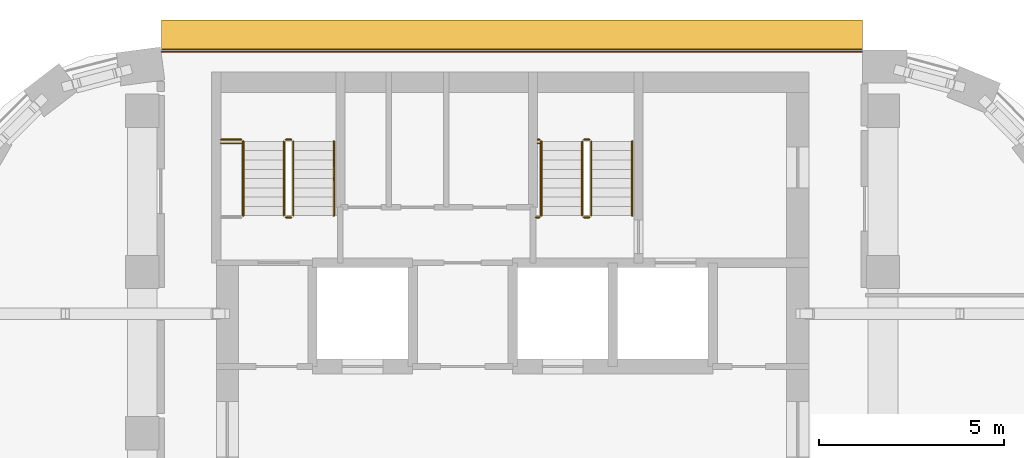
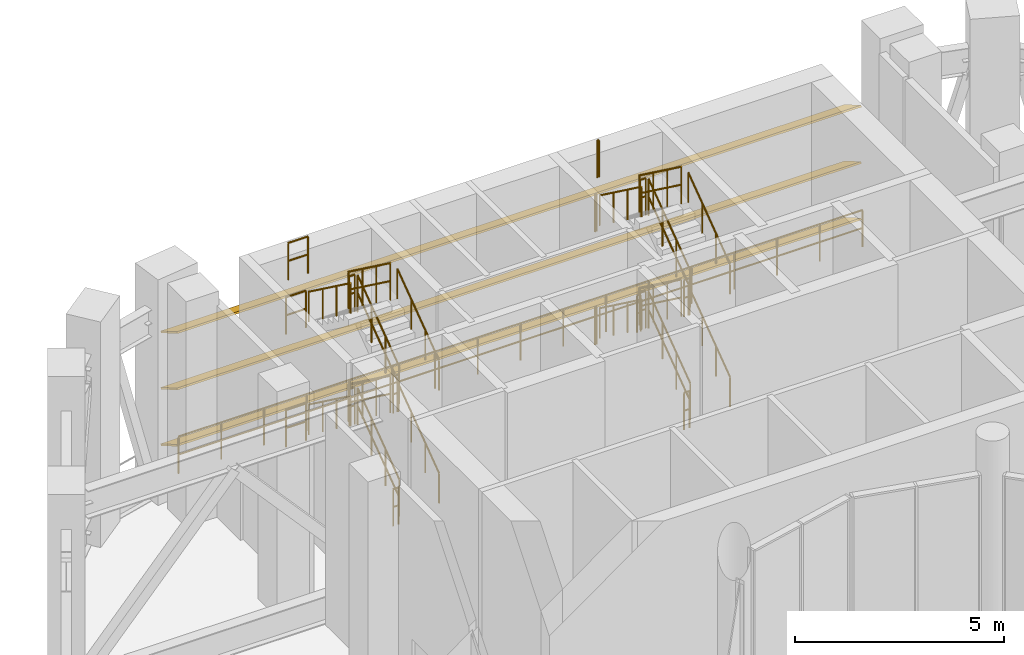
# One storey, part 18 of 19: 32 railings, 3 shading devices.
"""IFC4 building model written with IfcOpenShell, lengths in metres."""

from ifc_helpers import new_model, si_unit, direction, frame, origin, origin_2d, place, context, subcontext, project, spatial, rectangle, circle, extrude, material, material_profile, profile_set, type_object, element, save


model = new_model("IFC4")

# Units and contexts
model_context = context("Model", 3, precision=1e-05, world=origin(), true_north=direction((0.0, 1.0)))
body_context = subcontext(model_context, "Body", "Model", "MODEL_VIEW")
ifc_project = project(units=[si_unit("LENGTHUNIT", "METRE"), si_unit("AREAUNIT", "SQUARE_METRE"), si_unit("VOLUMEUNIT", "CUBIC_METRE"), si_unit("PLANEANGLEUNIT", "RADIAN"), si_unit("MASSUNIT", "GRAM", prefix="KILO")], contexts=[model_context])

# Site, building, storey
site_placement = place(None, origin())
site = spatial("IfcSite", under=ifc_project, at=site_placement, CompositionType="ELEMENT")
building_placement = place(site_placement, origin())
building = spatial("IfcBuilding", under=site, at=building_placement, Name="Nakaniwa Court", CompositionType="ELEMENT")
storey_placement = place(building_placement, frame((0.0, 0.0, 219.60009765625)))
storey = spatial("IfcBuildingStorey", under=building, at=storey_placement, Name="S4", CompositionType="ELEMENT", Elevation=219.60009765625)

# Railing
ifc_material_1 = material(Name="Black powder-coated steel flat bar balustrade S275", Category="steel")
railing_type_1 = type_object("IfcRailingType", Name="Black metal terrace guard 1100", PredefinedType="GUARDRAIL", material=ifc_material_1)
railing_1_placement = place(storey_placement, frame((89.44921875, 102.60009765625, 0.0)))
element("IfcRailing", 1, at=railing_1_placement, inside=storey, type_object=railing_type_1, Name="S4 refuge band guard 08", PredefinedType="GUARDRAIL", context=body_context, shape_type="SweptSolid", body=[
    extrude(circle(Radius=0.02392578125, at=origin_2d()), frame((0.0, 0.0, 1.076171875), z_axis=(-1.0, 0.0, 0.0), x_axis=(0.0, -1.0, 0.0)), (0.0, 0.0, 1.0), 18.932861328125),
    extrude(circle(Radius=0.02392578125, at=origin_2d()), frame((0.0, 0.0, 0.550048828125), z_axis=(-1.0, 0.0, 0.0), x_axis=(0.0, -1.0, 0.0)), (0.0, 0.0, 1.0), 18.932861328125),
    extrude(circle(Radius=0.02099609375, at=origin_2d()), origin(), (0.0, 0.0, 1.0), 1.052001953125),
    extrude(circle(Radius=0.02099609375, at=origin_2d()), frame((-1.183349609375, 0.0, 0.0)), (0.0, 0.0, 1.0), 1.052001953125),
    extrude(circle(Radius=0.02099609375, at=origin_2d()), frame((-2.36669921875, 0.0, 0.0)), (0.0, 0.0, 1.0), 1.052001953125),
    extrude(circle(Radius=0.02099609375, at=origin_2d()), frame((-3.5498046875, 0.0, 0.0)), (0.0, 0.0, 1.0), 1.052001953125),
    extrude(circle(Radius=0.02099609375, at=origin_2d()), frame((-4.733154296875, 0.0, 0.0)), (0.0, 0.0, 1.0), 1.052001953125),
    extrude(circle(Radius=0.02099609375, at=origin_2d()), frame((-5.91650390625, 0.0, 0.0)), (0.0, 0.0, 1.0), 1.052001953125),
    extrude(circle(Radius=0.02099609375, at=origin_2d()), frame((-7.099853515625, 0.0, 0.0)), (0.0, 0.0, 1.0), 1.052001953125),
    extrude(circle(Radius=0.02099609375, at=origin_2d()), frame((-8.283203125, 0.0, 0.0)), (0.0, 0.0, 1.0), 1.052001953125),
    extrude(circle(Radius=0.02099609375, at=origin_2d()), frame((-9.46630859375, 0.0, 0.0)), (0.0, 0.0, 1.0), 1.052001953125),
    extrude(circle(Radius=0.02099609375, at=origin_2d()), frame((-10.649658203125, 0.0, 0.0)), (0.0, 0.0, 1.0), 1.052001953125),
    extrude(circle(Radius=0.02099609375, at=origin_2d()), frame((-11.8330078125, 0.0, 0.0)), (0.0, 0.0, 1.0), 1.052001953125),
    extrude(circle(Radius=0.02099609375, at=origin_2d()), frame((-13.016357421875, 0.0, 0.0)), (0.0, 0.0, 1.0), 1.052001953125),
    extrude(circle(Radius=0.02099609375, at=origin_2d()), frame((-14.19970703125, 0.0, 0.0)), (0.0, 0.0, 1.0), 1.052001953125),
    extrude(circle(Radius=0.02099609375, at=origin_2d()), frame((-15.383056640625, 0.0, 0.0)), (0.0, 0.0, 1.0), 1.052001953125),
    extrude(circle(Radius=0.02099609375, at=origin_2d()), frame((-16.566162109375, 0.0, 0.0)), (0.0, 0.0, 1.0), 1.052001953125),
    extrude(circle(Radius=0.02099609375, at=origin_2d()), frame((-17.74951171875, 0.0, 0.0)), (0.0, 0.0, 1.0), 1.052001953125),
    extrude(circle(Radius=0.02099609375, at=origin_2d()), frame((-18.932861328125, 0.0, 0.0)), (0.0, 0.0, 1.0), 1.052001953125),
])

# Shading devices
ifc_material_2 = material(Name="Perforated charcoal ceramic louvre blade")
ifc_material_profile = material_profile(ifc_material_2, rectangle(XDim=0.89990234375, YDim=0.050048828125, at=origin_2d()), Name="Perforated ceramic louvre blade")
ifc_profile_set = profile_set([ifc_material_profile], Name="Perforated charcoal ceramic louvre blade")
shading_device_type = type_object("IfcShadingDeviceType", Name="Perforated ceramic louvre blade", PredefinedType="JALOUSIE", material=ifc_profile_set)
for number, where, z_axis, x_axis, name in (
    (2, (89.44921875, 103.05224609375, 0.5498046875), (-1.0, 0.0, 0.0), (0.0, -0.866025403784, 0.5), "S4 perforated ceramic louvre blade s08 1"),
    (3, (89.44921875, 103.05224609375, 2.199951171875), (-1.0, 0.0, 0.0), (0.0, -0.866025403784, 0.5), "S4 perforated ceramic louvre blade s08 2"),
    (4, (89.44921875, 103.05224609375, 3.849853515625), (-1.0, 0.0, 0.0), (0.0, -0.866025403784, 0.5), "S4 perforated ceramic louvre blade s08 3"),
):
    element("IfcShadingDevice", number, at=place(storey_placement, frame(where, z_axis=z_axis, x_axis=x_axis)), inside=storey, type_object=shading_device_type, Name=name, PredefinedType="JALOUSIE", context=body_context, shape_type="SweptSolid", body=[
        extrude(rectangle(XDim=0.89990234375, YDim=0.050048828125, at=origin_2d()), origin(), (0.0, 0.0, 1.0), 18.932861328125),
    ])

# Railings
ifc_material_3 = material(Name="Black powder coated steel guard", Category="steel")
railing_type_2 = type_object("IfcRailingType", Name="Stair guard 1100", PredefinedType="GUARDRAIL", material=ifc_material_3)
railing_2_placement = place(storey_placement, frame((74.074951171875, 98.175048828125, 0.183349609375)))
element("IfcRailing", 5, at=railing_2_placement, inside=storey, type_object=railing_type_2, Name="S4 ST1 stair guard 1", PredefinedType="GUARDRAIL", context=body_context, shape_type="SweptSolid", body=[
    extrude(circle(Radius=0.02392578125, at=origin_2d()), frame((0.0, 0.0, 1.076171875), z_axis=(0.0, 0.806426902644, 0.591333789573), x_axis=(-1.0, 0.0, 0.0)), (0.0, 0.0, 1.0), 2.47998046875),
    extrude(circle(Radius=0.02392578125, at=origin_2d()), frame((0.0, 0.0, 0.550048828125), z_axis=(0.0, 0.806426902644, 0.591333789573), x_axis=(-1.0, 0.0, 0.0)), (0.0, 0.0, 1.0), 2.47998046875),
    extrude(circle(Radius=0.02099609375, at=origin_2d()), origin(), (0.0, 0.0, 1.0), 1.052001953125),
    extrude(circle(Radius=0.02099609375, at=origin_2d()), frame((0.0, 0.666748046875, 0.48876953125)), (0.0, 0.0, 1.0), 1.052001953125),
    extrude(circle(Radius=0.02099609375, at=origin_2d()), frame((0.0, 1.333251953125, 0.977783203125)), (0.0, 0.0, 1.0), 1.052001953125),
    extrude(circle(Radius=0.02099609375, at=origin_2d()), frame((0.0, 2.0, 1.466552734375)), (0.0, 0.0, 1.0), 1.052001953125),
])
railing_3_placement = place(storey_placement, frame((74.02490234375, 100.22509765625, 1.64990234375)))
element("IfcRailing", 6, at=railing_3_placement, inside=storey, type_object=railing_type_2, Name="S4 ST1 stair guard 2", PredefinedType="GUARDRAIL", context=body_context, shape_type="SweptSolid", body=[
    extrude(circle(Radius=0.02392578125, at=origin_2d()), frame((0.0, 0.0, 1.076171875), z_axis=(-1.0, 0.0, 0.0), x_axis=(0.0, -1.0, 0.0)), (0.0, 0.0, 1.0), 0.14990234375),
    extrude(circle(Radius=0.02392578125, at=origin_2d()), frame((0.0, 0.0, 0.550048828125), z_axis=(-1.0, 0.0, 0.0), x_axis=(0.0, -1.0, 0.0)), (0.0, 0.0, 1.0), 0.14990234375),
    extrude(circle(Radius=0.02099609375, at=origin_2d()), origin(), (0.0, 0.0, 1.0), 1.052001953125),
    extrude(circle(Radius=0.02099609375, at=origin_2d()), frame((-0.14990234375, 0.0, 0.0)), (0.0, 0.0, 1.0), 1.052001953125),
])
railing_4_placement = place(storey_placement, frame((73.824951171875, 100.175048828125, 1.833251953125)))
element("IfcRailing", 7, at=railing_4_placement, inside=storey, type_object=railing_type_2, Name="S4 ST1 stair guard 3", PredefinedType="GUARDRAIL", context=body_context, shape_type="SweptSolid", body=[
    extrude(circle(Radius=0.02392578125, at=origin_2d()), frame((0.0, 0.0, 1.076171875), z_axis=(0.0, -0.806426902644, 0.591333789573), x_axis=(1.0, 0.0, 0.0)), (0.0, 0.0, 1.0), 2.47998046875),
    extrude(circle(Radius=0.02392578125, at=origin_2d()), frame((0.0, 0.0, 0.550048828125), z_axis=(0.0, -0.806426902644, 0.591333789573), x_axis=(1.0, 0.0, 0.0)), (0.0, 0.0, 1.0), 2.47998046875),
    extrude(circle(Radius=0.02099609375, at=origin_2d()), origin(), (0.0, 0.0, 1.0), 1.052001953125),
    extrude(circle(Radius=0.02099609375, at=origin_2d()), frame((0.0, -0.666748046875, 0.48876953125)), (0.0, 0.0, 1.0), 1.052001953125),
    extrude(circle(Radius=0.02099609375, at=origin_2d()), frame((0.0, -1.333251953125, 0.977783203125)), (0.0, 0.0, 1.0), 1.052001953125),
    extrude(circle(Radius=0.02099609375, at=origin_2d()), frame((0.0, -2.0, 1.466552734375)), (0.0, 0.0, 1.0), 1.052001953125),
])
railing_5_placement = place(storey_placement, frame((74.02490234375, 98.125, 3.2998046875)))
element("IfcRailing", 8, at=railing_5_placement, inside=storey, type_object=railing_type_2, Name="S4 ST1 stair guard 4", PredefinedType="GUARDRAIL", context=body_context, shape_type="SweptSolid", body=[
    extrude(circle(Radius=0.02392578125, at=origin_2d()), frame((0.0, 0.0, 1.076171875), z_axis=(-1.0, 0.0, 0.0), x_axis=(0.0, -1.0, 0.0)), (0.0, 0.0, 1.0), 0.14990234375),
    extrude(circle(Radius=0.02392578125, at=origin_2d()), frame((0.0, 0.0, 0.550048828125), z_axis=(-1.0, 0.0, 0.0), x_axis=(0.0, -1.0, 0.0)), (0.0, 0.0, 1.0), 0.14990234375),
    extrude(circle(Radius=0.02099609375, at=origin_2d()), origin(), (0.0, 0.0, 1.0), 1.052001953125),
    extrude(circle(Radius=0.02099609375, at=origin_2d()), frame((-0.14990234375, 0.0, 0.0)), (0.0, 0.0, 1.0), 1.052001953125),
])
railing_6_placement = place(storey_placement, frame((74.074951171875, 98.175048828125, 3.483154296875)))
element("IfcRailing", 9, at=railing_6_placement, inside=storey, type_object=railing_type_2, Name="S4 ST1 stair guard 5", PredefinedType="GUARDRAIL", context=body_context, shape_type="SweptSolid", body=[
    extrude(circle(Radius=0.02392578125, at=origin_2d()), frame((0.0, 0.0, 1.076171875), z_axis=(0.0, 0.806379959628, 0.591397802423), x_axis=(-1.0, 0.0, 0.0)), (0.0, 0.0, 1.0), 2.480224609375),
    extrude(circle(Radius=0.02392578125, at=origin_2d()), frame((0.0, 0.0, 0.550048828125), z_axis=(0.0, 0.806379959628, 0.591397802423), x_axis=(-1.0, 0.0, 0.0)), (0.0, 0.0, 1.0), 2.480224609375),
    extrude(circle(Radius=0.02099609375, at=origin_2d()), origin(), (0.0, 0.0, 1.0), 1.052001953125),
    extrude(circle(Radius=0.02099609375, at=origin_2d()), frame((0.0, 0.666748046875, 0.489013671875)), (0.0, 0.0, 1.0), 1.052001953125),
    extrude(circle(Radius=0.02099609375, at=origin_2d()), frame((0.0, 1.333251953125, 0.977783203125)), (0.0, 0.0, 1.0), 1.052001953125),
    extrude(circle(Radius=0.02099609375, at=origin_2d()), frame((0.0, 2.0, 1.466796875)), (0.0, 0.0, 1.0), 1.052001953125),
])
railing_7_placement = place(storey_placement, frame((74.02490234375, 100.22509765625, 4.949951171875)))
element("IfcRailing", 10, at=railing_7_placement, inside=storey, type_object=railing_type_2, Name="S4 ST1 stair guard 6", PredefinedType="GUARDRAIL", context=body_context, shape_type="SweptSolid", body=[
    extrude(circle(Radius=0.02392578125, at=origin_2d()), frame((0.0, 0.0, 1.076171875), z_axis=(-1.0, 0.0, 0.0), x_axis=(0.0, -1.0, 0.0)), (0.0, 0.0, 1.0), 0.14990234375),
    extrude(circle(Radius=0.02392578125, at=origin_2d()), frame((0.0, 0.0, 0.550048828125), z_axis=(-1.0, 0.0, 0.0), x_axis=(0.0, -1.0, 0.0)), (0.0, 0.0, 1.0), 0.14990234375),
    extrude(circle(Radius=0.02099609375, at=origin_2d()), origin(), (0.0, 0.0, 1.0), 1.052001953125),
    extrude(circle(Radius=0.02099609375, at=origin_2d()), frame((-0.14990234375, 0.0, 0.0)), (0.0, 0.0, 1.0), 1.052001953125),
])
railing_8_placement = place(storey_placement, frame((73.824951171875, 100.175048828125, 5.13330078125)))
element("IfcRailing", 11, at=railing_8_placement, inside=storey, type_object=railing_type_2, Name="S4 ST1 stair guard 7", PredefinedType="GUARDRAIL", context=body_context, shape_type="SweptSolid", body=[
    extrude(circle(Radius=0.02392578125, at=origin_2d()), frame((0.0, 0.0, 1.076171875), z_axis=(0.0, -0.806426902644, 0.591333789573), x_axis=(1.0, 0.0, 0.0)), (0.0, 0.0, 1.0), 2.47998046875),
    extrude(circle(Radius=0.02392578125, at=origin_2d()), frame((0.0, 0.0, 0.550048828125), z_axis=(0.0, -0.806426902644, 0.591333789573), x_axis=(1.0, 0.0, 0.0)), (0.0, 0.0, 1.0), 2.47998046875),
    extrude(circle(Radius=0.02099609375, at=origin_2d()), origin(), (0.0, 0.0, 1.0), 1.052001953125),
    extrude(circle(Radius=0.02099609375, at=origin_2d()), frame((0.0, -0.666748046875, 0.48876953125)), (0.0, 0.0, 1.0), 1.052001953125),
    extrude(circle(Radius=0.02099609375, at=origin_2d()), frame((0.0, -1.333251953125, 0.977783203125)), (0.0, 0.0, 1.0), 1.052001953125),
    extrude(circle(Radius=0.02099609375, at=origin_2d()), frame((0.0, -2.0, 1.466552734375)), (0.0, 0.0, 1.0), 1.052001953125),
])
railing_9_placement = place(storey_placement, frame((74.02490234375, 98.125, 0.0)))
element("IfcRailing", 12, at=railing_9_placement, inside=storey, type_object=railing_type_2, Name="S4 ST1 stair guard 8", PredefinedType="GUARDRAIL", context=body_context, shape_type="SweptSolid", body=[
    extrude(circle(Radius=0.02392578125, at=origin_2d()), frame((0.0, 0.0, 1.076171875), z_axis=(-1.0, 0.0, 0.0), x_axis=(0.0, -1.0, 0.0)), (0.0, 0.0, 1.0), 0.14990234375),
    extrude(circle(Radius=0.02392578125, at=origin_2d()), frame((0.0, 0.0, 0.550048828125), z_axis=(-1.0, 0.0, 0.0), x_axis=(0.0, -1.0, 0.0)), (0.0, 0.0, 1.0), 0.14990234375),
    extrude(circle(Radius=0.02099609375, at=origin_2d()), origin(), (0.0, 0.0, 1.0), 1.052001953125),
    extrude(circle(Radius=0.02099609375, at=origin_2d()), frame((-0.14990234375, 0.0, 0.0)), (0.0, 0.0, 1.0), 1.052001953125),
])
for number, where, name in (
    (13, (72.125, 100.22509765625, 1.64990234375), "S4 ST1 landing side guard 1W"),
    (14, (72.125, 100.22509765625, 4.949951171875), "S4 ST1 landing side guard 3W"),
    (15, (72.125, 100.125, 6.599853515625), "S4 ST1 floor edge guard 3W"),
):
    element("IfcRailing", number, at=place(storey_placement, frame(where)), inside=storey, type_object=railing_type_2, Name=name, PredefinedType="GUARDRAIL", context=body_context, shape_type="SweptSolid", body=[
        extrude(circle(Radius=0.02392578125, at=origin_2d()), frame((0.0, 0.0, 1.076171875), z_axis=(1.0, 0.0, 0.0), x_axis=(0.0, 1.0, 0.0)), (0.0, 0.0, 1.0), 0.550048828125),
        extrude(circle(Radius=0.02392578125, at=origin_2d()), frame((0.0, 0.0, 0.550048828125), z_axis=(1.0, 0.0, 0.0), x_axis=(0.0, 1.0, 0.0)), (0.0, 0.0, 1.0), 0.550048828125),
        extrude(circle(Radius=0.02099609375, at=origin_2d()), origin(), (0.0, 0.0, 1.0), 1.052001953125),
        extrude(circle(Radius=0.02099609375, at=origin_2d()), frame((0.550048828125, 0.0, 0.0)), (0.0, 0.0, 1.0), 1.052001953125),
    ])
railing_10_placement = place(storey_placement, frame((82.125, 98.175048828125, 0.183349609375)))
element("IfcRailing", 16, at=railing_10_placement, inside=storey, type_object=railing_type_2, Name="S4 ST2 stair guard 1", PredefinedType="GUARDRAIL", context=body_context, shape_type="SweptSolid", body=[
    extrude(circle(Radius=0.02392578125, at=origin_2d()), frame((0.0, 0.0, 1.076171875), z_axis=(0.0, 0.806426902644, 0.591333789573), x_axis=(-1.0, 0.0, 0.0)), (0.0, 0.0, 1.0), 2.47998046875),
    extrude(circle(Radius=0.02392578125, at=origin_2d()), frame((0.0, 0.0, 0.550048828125), z_axis=(0.0, 0.806426902644, 0.591333789573), x_axis=(-1.0, 0.0, 0.0)), (0.0, 0.0, 1.0), 2.47998046875),
    extrude(circle(Radius=0.02099609375, at=origin_2d()), origin(), (0.0, 0.0, 1.0), 1.052001953125),
    extrude(circle(Radius=0.02099609375, at=origin_2d()), frame((0.0, 0.666748046875, 0.48876953125)), (0.0, 0.0, 1.0), 1.052001953125),
    extrude(circle(Radius=0.02099609375, at=origin_2d()), frame((0.0, 1.333251953125, 0.977783203125)), (0.0, 0.0, 1.0), 1.052001953125),
    extrude(circle(Radius=0.02099609375, at=origin_2d()), frame((0.0, 2.0, 1.466552734375)), (0.0, 0.0, 1.0), 1.052001953125),
])
railing_11_placement = place(storey_placement, frame((82.074951171875, 100.22509765625, 1.64990234375)))
element("IfcRailing", 17, at=railing_11_placement, inside=storey, type_object=railing_type_2, Name="S4 ST2 stair guard 2", PredefinedType="GUARDRAIL", context=body_context, shape_type="SweptSolid", body=[
    extrude(circle(Radius=0.02392578125, at=origin_2d()), frame((0.0, 0.0, 1.076171875), z_axis=(-1.0, 0.0, 0.0), x_axis=(0.0, -1.0, 0.0)), (0.0, 0.0, 1.0), 0.14990234375),
    extrude(circle(Radius=0.02392578125, at=origin_2d()), frame((0.0, 0.0, 0.550048828125), z_axis=(-1.0, 0.0, 0.0), x_axis=(0.0, -1.0, 0.0)), (0.0, 0.0, 1.0), 0.14990234375),
    extrude(circle(Radius=0.02099609375, at=origin_2d()), origin(), (0.0, 0.0, 1.0), 1.052001953125),
    extrude(circle(Radius=0.02099609375, at=origin_2d()), frame((-0.14990234375, 0.0, 0.0)), (0.0, 0.0, 1.0), 1.052001953125),
])
railing_12_placement = place(storey_placement, frame((81.875, 100.175048828125, 1.833251953125)))
element("IfcRailing", 18, at=railing_12_placement, inside=storey, type_object=railing_type_2, Name="S4 ST2 stair guard 3", PredefinedType="GUARDRAIL", context=body_context, shape_type="SweptSolid", body=[
    extrude(circle(Radius=0.02392578125, at=origin_2d()), frame((0.0, 0.0, 1.076171875), z_axis=(0.0, -0.806426902644, 0.591333789573), x_axis=(1.0, 0.0, 0.0)), (0.0, 0.0, 1.0), 2.47998046875),
    extrude(circle(Radius=0.02392578125, at=origin_2d()), frame((0.0, 0.0, 0.550048828125), z_axis=(0.0, -0.806426902644, 0.591333789573), x_axis=(1.0, 0.0, 0.0)), (0.0, 0.0, 1.0), 2.47998046875),
    extrude(circle(Radius=0.02099609375, at=origin_2d()), origin(), (0.0, 0.0, 1.0), 1.052001953125),
    extrude(circle(Radius=0.02099609375, at=origin_2d()), frame((0.0, -0.666748046875, 0.48876953125)), (0.0, 0.0, 1.0), 1.052001953125),
    extrude(circle(Radius=0.02099609375, at=origin_2d()), frame((0.0, -1.333251953125, 0.977783203125)), (0.0, 0.0, 1.0), 1.052001953125),
    extrude(circle(Radius=0.02099609375, at=origin_2d()), frame((0.0, -2.0, 1.466552734375)), (0.0, 0.0, 1.0), 1.052001953125),
])
railing_13_placement = place(storey_placement, frame((82.074951171875, 98.125, 3.2998046875)))
element("IfcRailing", 19, at=railing_13_placement, inside=storey, type_object=railing_type_2, Name="S4 ST2 stair guard 4", PredefinedType="GUARDRAIL", context=body_context, shape_type="SweptSolid", body=[
    extrude(circle(Radius=0.02392578125, at=origin_2d()), frame((0.0, 0.0, 1.076171875), z_axis=(-1.0, 0.0, 0.0), x_axis=(0.0, -1.0, 0.0)), (0.0, 0.0, 1.0), 0.14990234375),
    extrude(circle(Radius=0.02392578125, at=origin_2d()), frame((0.0, 0.0, 0.550048828125), z_axis=(-1.0, 0.0, 0.0), x_axis=(0.0, -1.0, 0.0)), (0.0, 0.0, 1.0), 0.14990234375),
    extrude(circle(Radius=0.02099609375, at=origin_2d()), origin(), (0.0, 0.0, 1.0), 1.052001953125),
    extrude(circle(Radius=0.02099609375, at=origin_2d()), frame((-0.14990234375, 0.0, 0.0)), (0.0, 0.0, 1.0), 1.052001953125),
])
railing_14_placement = place(storey_placement, frame((82.125, 98.175048828125, 3.483154296875)))
element("IfcRailing", 20, at=railing_14_placement, inside=storey, type_object=railing_type_2, Name="S4 ST2 stair guard 5", PredefinedType="GUARDRAIL", context=body_context, shape_type="SweptSolid", body=[
    extrude(circle(Radius=0.02392578125, at=origin_2d()), frame((0.0, 0.0, 1.076171875), z_axis=(0.0, 0.806379959628, 0.591397802423), x_axis=(-1.0, 0.0, 0.0)), (0.0, 0.0, 1.0), 2.480224609375),
    extrude(circle(Radius=0.02392578125, at=origin_2d()), frame((0.0, 0.0, 0.550048828125), z_axis=(0.0, 0.806379959628, 0.591397802423), x_axis=(-1.0, 0.0, 0.0)), (0.0, 0.0, 1.0), 2.480224609375),
    extrude(circle(Radius=0.02099609375, at=origin_2d()), origin(), (0.0, 0.0, 1.0), 1.052001953125),
    extrude(circle(Radius=0.02099609375, at=origin_2d()), frame((0.0, 0.666748046875, 0.489013671875)), (0.0, 0.0, 1.0), 1.052001953125),
    extrude(circle(Radius=0.02099609375, at=origin_2d()), frame((0.0, 1.333251953125, 0.977783203125)), (0.0, 0.0, 1.0), 1.052001953125),
    extrude(circle(Radius=0.02099609375, at=origin_2d()), frame((0.0, 2.0, 1.466796875)), (0.0, 0.0, 1.0), 1.052001953125),
])
railing_15_placement = place(storey_placement, frame((82.074951171875, 100.22509765625, 4.949951171875)))
element("IfcRailing", 21, at=railing_15_placement, inside=storey, type_object=railing_type_2, Name="S4 ST2 stair guard 6", PredefinedType="GUARDRAIL", context=body_context, shape_type="SweptSolid", body=[
    extrude(circle(Radius=0.02392578125, at=origin_2d()), frame((0.0, 0.0, 1.076171875), z_axis=(-1.0, 0.0, 0.0), x_axis=(0.0, -1.0, 0.0)), (0.0, 0.0, 1.0), 0.14990234375),
    extrude(circle(Radius=0.02392578125, at=origin_2d()), frame((0.0, 0.0, 0.550048828125), z_axis=(-1.0, 0.0, 0.0), x_axis=(0.0, -1.0, 0.0)), (0.0, 0.0, 1.0), 0.14990234375),
    extrude(circle(Radius=0.02099609375, at=origin_2d()), origin(), (0.0, 0.0, 1.0), 1.052001953125),
    extrude(circle(Radius=0.02099609375, at=origin_2d()), frame((-0.14990234375, 0.0, 0.0)), (0.0, 0.0, 1.0), 1.052001953125),
])
railing_16_placement = place(storey_placement, frame((81.875, 100.175048828125, 5.13330078125)))
element("IfcRailing", 22, at=railing_16_placement, inside=storey, type_object=railing_type_2, Name="S4 ST2 stair guard 7", PredefinedType="GUARDRAIL", context=body_context, shape_type="SweptSolid", body=[
    extrude(circle(Radius=0.02392578125, at=origin_2d()), frame((0.0, 0.0, 1.076171875), z_axis=(0.0, -0.806426902644, 0.591333789573), x_axis=(1.0, 0.0, 0.0)), (0.0, 0.0, 1.0), 2.47998046875),
    extrude(circle(Radius=0.02392578125, at=origin_2d()), frame((0.0, 0.0, 0.550048828125), z_axis=(0.0, -0.806426902644, 0.591333789573), x_axis=(1.0, 0.0, 0.0)), (0.0, 0.0, 1.0), 2.47998046875),
    extrude(circle(Radius=0.02099609375, at=origin_2d()), origin(), (0.0, 0.0, 1.0), 1.052001953125),
    extrude(circle(Radius=0.02099609375, at=origin_2d()), frame((0.0, -0.666748046875, 0.48876953125)), (0.0, 0.0, 1.0), 1.052001953125),
    extrude(circle(Radius=0.02099609375, at=origin_2d()), frame((0.0, -1.333251953125, 0.977783203125)), (0.0, 0.0, 1.0), 1.052001953125),
    extrude(circle(Radius=0.02099609375, at=origin_2d()), frame((0.0, -2.0, 1.466552734375)), (0.0, 0.0, 1.0), 1.052001953125),
])
railing_17_placement = place(storey_placement, frame((82.074951171875, 98.125, 0.0)))
element("IfcRailing", 23, at=railing_17_placement, inside=storey, type_object=railing_type_2, Name="S4 ST2 stair guard 8", PredefinedType="GUARDRAIL", context=body_context, shape_type="SweptSolid", body=[
    extrude(circle(Radius=0.02392578125, at=origin_2d()), frame((0.0, 0.0, 1.076171875), z_axis=(-1.0, 0.0, 0.0), x_axis=(0.0, -1.0, 0.0)), (0.0, 0.0, 1.0), 0.14990234375),
    extrude(circle(Radius=0.02392578125, at=origin_2d()), frame((0.0, 0.0, 0.550048828125), z_axis=(-1.0, 0.0, 0.0), x_axis=(0.0, -1.0, 0.0)), (0.0, 0.0, 1.0), 0.14990234375),
    extrude(circle(Radius=0.02099609375, at=origin_2d()), origin(), (0.0, 0.0, 1.0), 1.052001953125),
    extrude(circle(Radius=0.02099609375, at=origin_2d()), frame((-0.14990234375, 0.0, 0.0)), (0.0, 0.0, 1.0), 1.052001953125),
])
railing_18_placement = place(storey_placement, frame((80.675048828125, 100.22509765625, 1.64990234375)))
element("IfcRailing", 24, at=railing_18_placement, inside=storey, type_object=railing_type_2, Name="S4 ST2 landing side guard 1W", PredefinedType="GUARDRAIL", context=body_context, shape_type="SweptSolid", body=[
    extrude(circle(Radius=0.02392578125, at=origin_2d()), frame((0.0, 0.0, 1.076171875), z_axis=(1.0, 0.0, 0.0), x_axis=(0.0, 1.0, 0.0)), (0.0, 0.0, 1.0), 0.050048828125),
    extrude(circle(Radius=0.02392578125, at=origin_2d()), frame((0.0, 0.0, 0.550048828125), z_axis=(1.0, 0.0, 0.0), x_axis=(0.0, 1.0, 0.0)), (0.0, 0.0, 1.0), 0.050048828125),
    extrude(circle(Radius=0.02099609375, at=origin_2d()), origin(), (0.0, 0.0, 1.0), 1.052001953125),
    extrude(circle(Radius=0.02099609375, at=origin_2d()), frame((0.050048828125, 0.0, 0.0)), (0.0, 0.0, 1.0), 1.052001953125),
])
railing_19_placement = place(storey_placement, frame((80.625, 98.125, 3.2998046875)))
element("IfcRailing", 25, at=railing_19_placement, inside=storey, type_object=railing_type_2, Name="S4 ST2 landing side guard 2W", PredefinedType="GUARDRAIL", context=body_context, shape_type="SweptSolid", body=[
    extrude(circle(Radius=0.02392578125, at=origin_2d()), frame((0.0, 0.0, 1.076171875), z_axis=(1.0, 0.0, 0.0), x_axis=(0.0, 1.0, 0.0)), (0.0, 0.0, 1.0), 0.10009765625),
    extrude(circle(Radius=0.02392578125, at=origin_2d()), frame((0.0, 0.0, 0.550048828125), z_axis=(1.0, 0.0, 0.0), x_axis=(0.0, 1.0, 0.0)), (0.0, 0.0, 1.0), 0.10009765625),
    extrude(circle(Radius=0.02099609375, at=origin_2d()), origin(), (0.0, 0.0, 1.0), 1.052001953125),
    extrude(circle(Radius=0.02099609375, at=origin_2d()), frame((0.10009765625, 0.0, 0.0)), (0.0, 0.0, 1.0), 1.052001953125),
])
for number, where, name in (
    (26, (80.675048828125, 100.22509765625, 4.949951171875), "S4 ST2 landing side guard 3W"),
    (27, (80.675048828125, 100.125, 6.599853515625), "S4 ST2 floor edge guard 3W"),
):
    element("IfcRailing", number, at=place(storey_placement, frame(where)), inside=storey, type_object=railing_type_2, Name=name, PredefinedType="GUARDRAIL", context=body_context, shape_type="SweptSolid", body=[
        extrude(circle(Radius=0.02392578125, at=origin_2d()), frame((0.0, 0.0, 1.076171875), z_axis=(1.0, 0.0, 0.0), x_axis=(0.0, 1.0, 0.0)), (0.0, 0.0, 1.0), 0.050048828125),
        extrude(circle(Radius=0.02392578125, at=origin_2d()), frame((0.0, 0.0, 0.550048828125), z_axis=(1.0, 0.0, 0.0), x_axis=(0.0, 1.0, 0.0)), (0.0, 0.0, 1.0), 0.050048828125),
        extrude(circle(Radius=0.02099609375, at=origin_2d()), origin(), (0.0, 0.0, 1.0), 1.052001953125),
        extrude(circle(Radius=0.02099609375, at=origin_2d()), frame((0.050048828125, 0.0, 0.0)), (0.0, 0.0, 1.0), 1.052001953125),
    ])
ifc_material_4 = material(Name="Black powder coated steel handrail", Category="steel")
railing_type_3 = type_object("IfcRailingType", Name="Stair handrail 900", PredefinedType="HANDRAIL", material=ifc_material_4)
railing_20_placement = place(storey_placement, frame((75.175048828125, 98.175048828125, 0.183349609375)))
element("IfcRailing", 28, at=railing_20_placement, inside=storey, type_object=railing_type_3, Name="S4 ST1 stair handrail 1", PredefinedType="HANDRAIL", context=body_context, shape_type="SweptSolid", body=[
    extrude(circle(Radius=0.02392578125, at=origin_2d()), frame((0.0, 0.0, 0.8759765625), z_axis=(0.0, 0.806426902644, 0.591333789573), x_axis=(-1.0, 0.0, 0.0)), (0.0, 0.0, 1.0), 2.47998046875),
    extrude(circle(Radius=0.02099609375, at=origin_2d()), origin(), (0.0, 0.0, 1.0), 0.851806640625),
    extrude(circle(Radius=0.02099609375, at=origin_2d()), frame((0.0, 0.666748046875, 0.48876953125)), (0.0, 0.0, 1.0), 0.851806640625),
    extrude(circle(Radius=0.02099609375, at=origin_2d()), frame((0.0, 1.333251953125, 0.977783203125)), (0.0, 0.0, 1.0), 0.851806640625),
    extrude(circle(Radius=0.02099609375, at=origin_2d()), frame((0.0, 2.0, 1.466552734375)), (0.0, 0.0, 1.0), 0.851806640625),
])
railing_21_placement = place(storey_placement, frame((72.72509765625, 100.175048828125, 1.833251953125)))
element("IfcRailing", 29, at=railing_21_placement, inside=storey, type_object=railing_type_3, Name="S4 ST1 stair handrail 2", PredefinedType="HANDRAIL", context=body_context, shape_type="SweptSolid", body=[
    extrude(circle(Radius=0.02392578125, at=origin_2d()), frame((0.0, 0.0, 0.8759765625), z_axis=(0.0, -0.806426902644, 0.591333789573), x_axis=(1.0, 0.0, 0.0)), (0.0, 0.0, 1.0), 2.47998046875),
    extrude(circle(Radius=0.02099609375, at=origin_2d()), origin(), (0.0, 0.0, 1.0), 0.851806640625),
    extrude(circle(Radius=0.02099609375, at=origin_2d()), frame((0.0, -0.666748046875, 0.48876953125)), (0.0, 0.0, 1.0), 0.851806640625),
    extrude(circle(Radius=0.02099609375, at=origin_2d()), frame((0.0, -1.333251953125, 0.977783203125)), (0.0, 0.0, 1.0), 0.851806640625),
    extrude(circle(Radius=0.02099609375, at=origin_2d()), frame((0.0, -2.0, 1.466552734375)), (0.0, 0.0, 1.0), 0.851806640625),
])
railing_22_placement = place(storey_placement, frame((75.175048828125, 98.175048828125, 3.483154296875)))
element("IfcRailing", 30, at=railing_22_placement, inside=storey, type_object=railing_type_3, Name="S4 ST1 stair handrail 3", PredefinedType="HANDRAIL", context=body_context, shape_type="SweptSolid", body=[
    extrude(circle(Radius=0.02392578125, at=origin_2d()), frame((0.0, 0.0, 0.8759765625), z_axis=(0.0, 0.806379959628, 0.591397802423), x_axis=(-1.0, 0.0, 0.0)), (0.0, 0.0, 1.0), 2.480224609375),
    extrude(circle(Radius=0.02099609375, at=origin_2d()), origin(), (0.0, 0.0, 1.0), 0.851806640625),
    extrude(circle(Radius=0.02099609375, at=origin_2d()), frame((0.0, 0.666748046875, 0.489013671875)), (0.0, 0.0, 1.0), 0.851806640625),
    extrude(circle(Radius=0.02099609375, at=origin_2d()), frame((0.0, 1.333251953125, 0.977783203125)), (0.0, 0.0, 1.0), 0.851806640625),
    extrude(circle(Radius=0.02099609375, at=origin_2d()), frame((0.0, 2.0, 1.466796875)), (0.0, 0.0, 1.0), 0.851806640625),
])
railing_23_placement = place(storey_placement, frame((72.72509765625, 100.175048828125, 5.13330078125)))
element("IfcRailing", 31, at=railing_23_placement, inside=storey, type_object=railing_type_3, Name="S4 ST1 stair handrail 4", PredefinedType="HANDRAIL", context=body_context, shape_type="SweptSolid", body=[
    extrude(circle(Radius=0.02392578125, at=origin_2d()), frame((0.0, 0.0, 0.8759765625), z_axis=(0.0, -0.806426902644, 0.591333789573), x_axis=(1.0, 0.0, 0.0)), (0.0, 0.0, 1.0), 2.47998046875),
    extrude(circle(Radius=0.02099609375, at=origin_2d()), origin(), (0.0, 0.0, 1.0), 0.851806640625),
    extrude(circle(Radius=0.02099609375, at=origin_2d()), frame((0.0, -0.666748046875, 0.48876953125)), (0.0, 0.0, 1.0), 0.851806640625),
    extrude(circle(Radius=0.02099609375, at=origin_2d()), frame((0.0, -1.333251953125, 0.977783203125)), (0.0, 0.0, 1.0), 0.851806640625),
    extrude(circle(Radius=0.02099609375, at=origin_2d()), frame((0.0, -2.0, 1.466552734375)), (0.0, 0.0, 1.0), 0.851806640625),
])
railing_24_placement = place(storey_placement, frame((83.22509765625, 98.175048828125, 0.183349609375)))
element("IfcRailing", 32, at=railing_24_placement, inside=storey, type_object=railing_type_3, Name="S4 ST2 stair handrail 1", PredefinedType="HANDRAIL", context=body_context, shape_type="SweptSolid", body=[
    extrude(circle(Radius=0.02392578125, at=origin_2d()), frame((0.0, 0.0, 0.8759765625), z_axis=(0.0, 0.806426902644, 0.591333789573), x_axis=(-1.0, 0.0, 0.0)), (0.0, 0.0, 1.0), 2.47998046875),
    extrude(circle(Radius=0.02099609375, at=origin_2d()), origin(), (0.0, 0.0, 1.0), 0.851806640625),
    extrude(circle(Radius=0.02099609375, at=origin_2d()), frame((0.0, 0.666748046875, 0.48876953125)), (0.0, 0.0, 1.0), 0.851806640625),
    extrude(circle(Radius=0.02099609375, at=origin_2d()), frame((0.0, 1.333251953125, 0.977783203125)), (0.0, 0.0, 1.0), 0.851806640625),
    extrude(circle(Radius=0.02099609375, at=origin_2d()), frame((0.0, 2.0, 1.466552734375)), (0.0, 0.0, 1.0), 0.851806640625),
])
railing_25_placement = place(storey_placement, frame((80.77490234375, 100.175048828125, 1.833251953125)))
element("IfcRailing", 33, at=railing_25_placement, inside=storey, type_object=railing_type_3, Name="S4 ST2 stair handrail 2", PredefinedType="HANDRAIL", context=body_context, shape_type="SweptSolid", body=[
    extrude(circle(Radius=0.02392578125, at=origin_2d()), frame((0.0, 0.0, 0.8759765625), z_axis=(0.0, -0.806426902644, 0.591333789573), x_axis=(1.0, 0.0, 0.0)), (0.0, 0.0, 1.0), 2.47998046875),
    extrude(circle(Radius=0.02099609375, at=origin_2d()), origin(), (0.0, 0.0, 1.0), 0.851806640625),
    extrude(circle(Radius=0.02099609375, at=origin_2d()), frame((0.0, -0.666748046875, 0.48876953125)), (0.0, 0.0, 1.0), 0.851806640625),
    extrude(circle(Radius=0.02099609375, at=origin_2d()), frame((0.0, -1.333251953125, 0.977783203125)), (0.0, 0.0, 1.0), 0.851806640625),
    extrude(circle(Radius=0.02099609375, at=origin_2d()), frame((0.0, -2.0, 1.466552734375)), (0.0, 0.0, 1.0), 0.851806640625),
])
railing_26_placement = place(storey_placement, frame((83.22509765625, 98.175048828125, 3.483154296875)))
element("IfcRailing", 34, at=railing_26_placement, inside=storey, type_object=railing_type_3, Name="S4 ST2 stair handrail 3", PredefinedType="HANDRAIL", context=body_context, shape_type="SweptSolid", body=[
    extrude(circle(Radius=0.02392578125, at=origin_2d()), frame((0.0, 0.0, 0.8759765625), z_axis=(0.0, 0.806379959628, 0.591397802423), x_axis=(-1.0, 0.0, 0.0)), (0.0, 0.0, 1.0), 2.480224609375),
    extrude(circle(Radius=0.02099609375, at=origin_2d()), origin(), (0.0, 0.0, 1.0), 0.851806640625),
    extrude(circle(Radius=0.02099609375, at=origin_2d()), frame((0.0, 0.666748046875, 0.489013671875)), (0.0, 0.0, 1.0), 0.851806640625),
    extrude(circle(Radius=0.02099609375, at=origin_2d()), frame((0.0, 1.333251953125, 0.977783203125)), (0.0, 0.0, 1.0), 0.851806640625),
    extrude(circle(Radius=0.02099609375, at=origin_2d()), frame((0.0, 2.0, 1.466796875)), (0.0, 0.0, 1.0), 0.851806640625),
])
railing_27_placement = place(storey_placement, frame((80.77490234375, 100.175048828125, 5.13330078125)))
element("IfcRailing", 35, at=railing_27_placement, inside=storey, type_object=railing_type_3, Name="S4 ST2 stair handrail 4", PredefinedType="HANDRAIL", context=body_context, shape_type="SweptSolid", body=[
    extrude(circle(Radius=0.02392578125, at=origin_2d()), frame((0.0, 0.0, 0.8759765625), z_axis=(0.0, -0.806426902644, 0.591333789573), x_axis=(1.0, 0.0, 0.0)), (0.0, 0.0, 1.0), 2.47998046875),
    extrude(circle(Radius=0.02099609375, at=origin_2d()), origin(), (0.0, 0.0, 1.0), 0.851806640625),
    extrude(circle(Radius=0.02099609375, at=origin_2d()), frame((0.0, -0.666748046875, 0.48876953125)), (0.0, 0.0, 1.0), 0.851806640625),
    extrude(circle(Radius=0.02099609375, at=origin_2d()), frame((0.0, -1.333251953125, 0.977783203125)), (0.0, 0.0, 1.0), 0.851806640625),
    extrude(circle(Radius=0.02099609375, at=origin_2d()), frame((0.0, -2.0, 1.466552734375)), (0.0, 0.0, 1.0), 0.851806640625),
])

save(model, "model.ifc")
